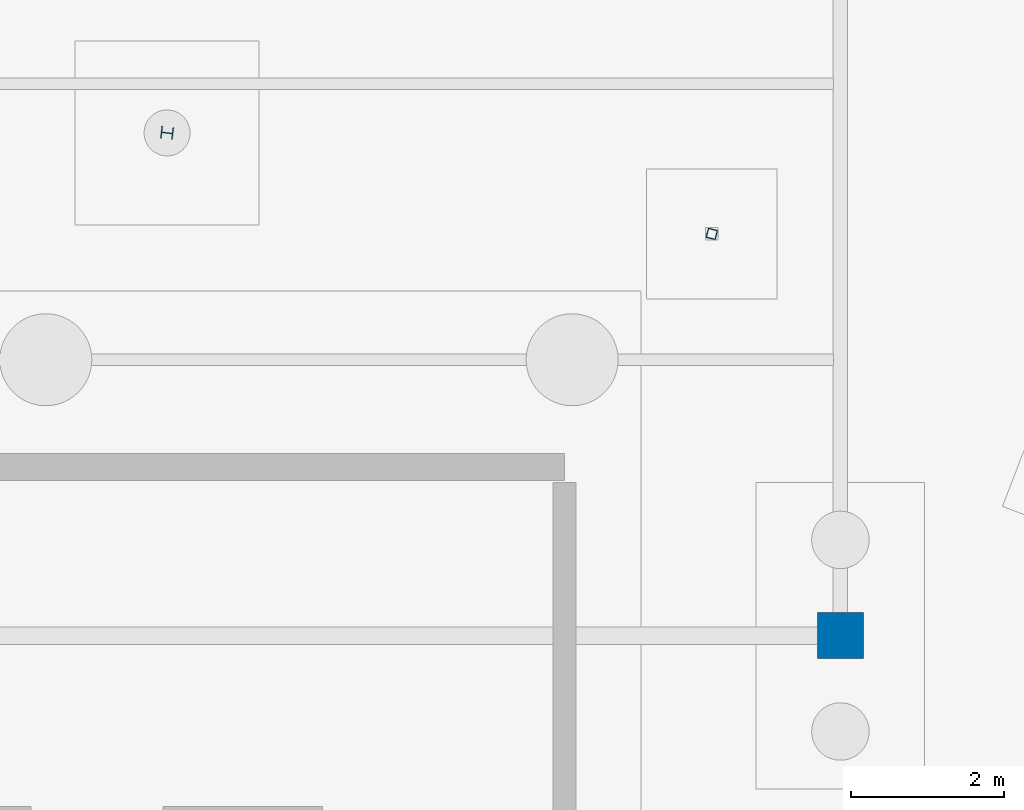
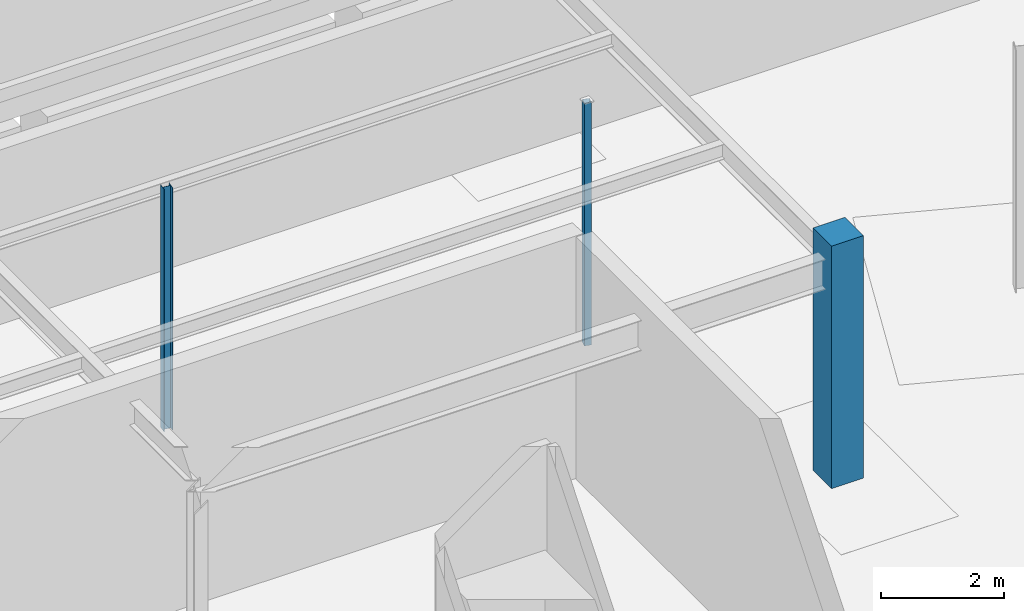
# One storey, part 42 of 136: 3 columns.
"""IFC4 building model written with IfcOpenShell, lengths in metres."""

from ifc_helpers import new_model, si_unit, direction, frame, origin, origin_2d, place, context, subcontext, project, spatial, rectangle, hollow_rectangle, i_section, extrude, material, material_profile, profile_set, type_object, element, save


model = new_model("IFC4")

# Units and contexts
model_context = context("Model", 3, precision=1e-05, world=origin(), true_north=direction((0.0, 1.0)))
body_context = subcontext(model_context, "Body", "Model", "MODEL_VIEW")
ifc_project = project(units=[si_unit("LENGTHUNIT", "METRE"), si_unit("AREAUNIT", "SQUARE_METRE"), si_unit("VOLUMEUNIT", "CUBIC_METRE"), si_unit("PLANEANGLEUNIT", "RADIAN"), si_unit("MASSUNIT", "GRAM", prefix="KILO")], contexts=[model_context])

# Site, building, storey
site_placement = place(None, origin())
site = spatial("IfcSite", under=ifc_project, at=site_placement, CompositionType="ELEMENT")
building_placement = place(site_placement, origin())
building = spatial("IfcBuilding", under=site, at=building_placement, Name="Tarnwether General Hospital", CompositionType="ELEMENT")
storey_placement = place(building_placement, frame((0.0, 0.0, -4.800048828125)))
storey = spatial("IfcBuildingStorey", under=building, at=storey_placement, Name="LG", CompositionType="ELEMENT", Elevation=-4.800048828125)

# Columns
ifc_material_1 = material(Name="Concrete 50 MPa", Category="concrete")
ifc_material_profile_1 = material_profile(ifc_material_1, rectangle(XDim=0.60009765625, YDim=0.60009765625, at=origin_2d()), Name="RC-COL-600x600")
ifc_profile_set_1 = profile_set([ifc_material_profile_1], Name="Concrete 50 MPa")
column_type_1 = type_object("IfcColumnType", Name="COL-19", PredefinedType="COLUMN", material=ifc_profile_set_1)
column_1_placement = place(storey_placement, frame((108.0, 115.199951171875, 0.0), z_axis=(0.0, 0.0, 1.0), x_axis=(0.0, 1.0, 0.0)))
element("IfcColumn", 1, at=column_1_placement, inside=storey, type_object=column_type_1, Name="Column COLG-LG-10800_11520", PredefinedType="COLUMN", context=body_context, shape_type="SweptSolid", body=[
    extrude(rectangle(XDim=0.60009765625, YDim=0.60009765625, at=origin_2d()), origin(), (0.0, 0.0, 1.0), 4.800048828125),
])
ifc_material_2 = material(Name="Steel Grade 350 (350 MPa)", Category="steel")
ifc_material_profile_2 = material_profile(ifc_material_2, i_section(OverallWidth=0.152099609375, OverallDepth=0.152099609375, WebThickness=0.006103515625, FlangeThickness=0.0068359375, at=origin_2d()), Name="150UC23.4")
ifc_profile_set_2 = profile_set([ifc_material_profile_2], Name="Steel Grade 350 (350 MPa)")
column_type_2 = type_object("IfcColumnType", Name="COL-32", PredefinedType="COLUMN", material=ifc_profile_set_2)
column_2_placement = place(storey_placement, frame((99.215087890625, 121.759033203125, 0.0), z_axis=(0.0, 0.0, 1.0), x_axis=(0.121869343405, 0.992546151641, 0.0)))
element("IfcColumn", 2, at=column_2_placement, inside=storey, type_object=column_type_2, Name="Column COLG-LG-9922_12176", PredefinedType="COLUMN", context=body_context, shape_type="SweptSolid", body=[
    extrude(i_section(OverallWidth=0.152099609375, OverallDepth=0.152099609375, WebThickness=0.006103515625, FlangeThickness=0.0068359375, at=origin_2d()), origin(), (0.0, 0.0, 1.0), 4.800048828125),
])
ifc_material_3 = material(Name="Steel Grade C350L0 (350 MPa)", Category="steel")
ifc_material_profile_3 = material_profile(ifc_material_3, hollow_rectangle(XDim=0.125, YDim=0.125, WallThickness=0.006103515625, at=origin_2d()), Name="SHS125x125x6")
ifc_profile_set_3 = profile_set([ifc_material_profile_3], Name="Steel Grade C350L0 (350 MPa)")
column_type_3 = type_object("IfcColumnType", Name="COL-34", PredefinedType="COLUMN", material=ifc_profile_set_3)
column_3_placement = place(storey_placement, frame((106.322021484375, 120.44189453125, 0.0), z_axis=(0.0, 0.0, 1.0), x_axis=(0.2419218956, 0.970295726276, 0.0)))
element("IfcColumn", 3, at=column_3_placement, inside=storey, type_object=column_type_3, Name="Column COLG-LG-10632_12044", PredefinedType="COLUMN", context=body_context, shape_type="SweptSolid", body=[
    extrude(hollow_rectangle(XDim=0.125, YDim=0.125, WallThickness=0.006103515625, at=origin_2d()), origin(), (0.0, 0.0, 1.0), 4.800048828125),
])

save(model, "model.ifc")
